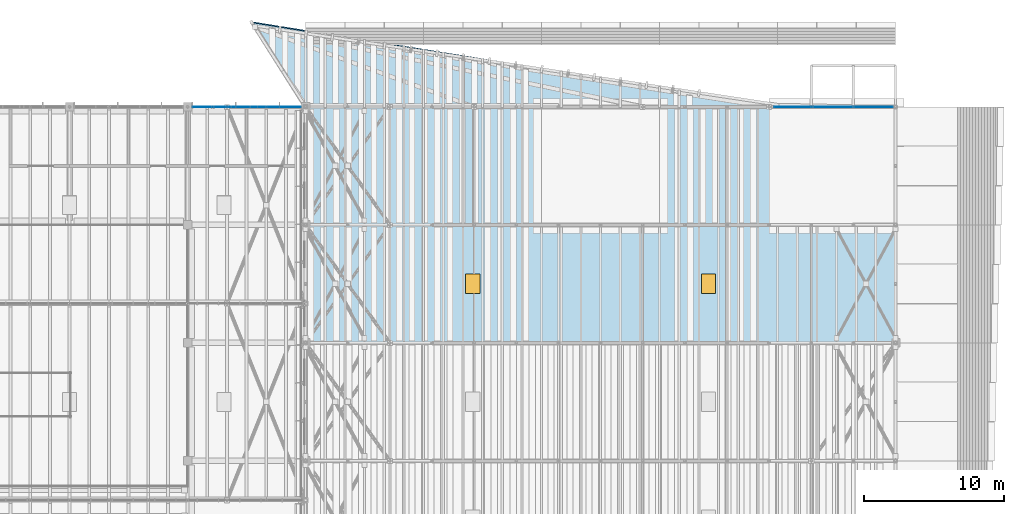
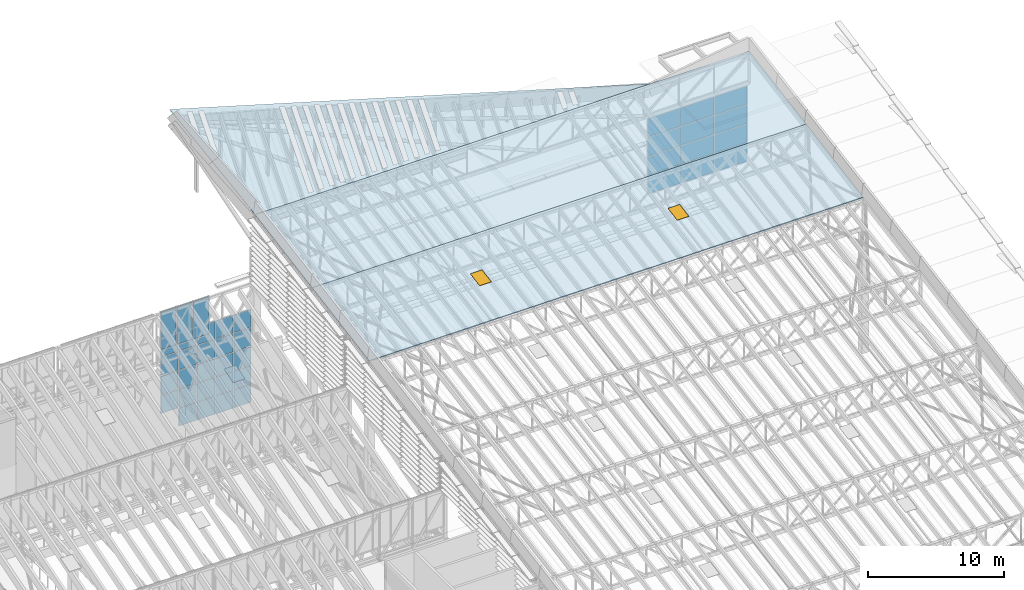
# One storey, part 62 of 91: 39 plates, 3 slabs, 2 windows, 2 openings, 3 elements without a shape of their own.
"""IFC4 building model written with IfcOpenShell, lengths in metres."""

from ifc_helpers import new_model, si_unit, direction, frame, origin, origin_2d, place, context, subcontext, project, spatial, polyline, rectangle, outline, extrude, material, layer, layer_set, type_object, element, fill, aggregate, save


model = new_model("IFC4")

# Units and contexts
model_context = context("Model", 3, precision=1e-05, world=origin(), true_north=direction((0.0, 1.0)))
body_context = subcontext(model_context, "Body", "Model", "MODEL_VIEW")
ifc_project = project(units=[si_unit("LENGTHUNIT", "METRE"), si_unit("AREAUNIT", "SQUARE_METRE"), si_unit("VOLUMEUNIT", "CUBIC_METRE"), si_unit("PLANEANGLEUNIT", "RADIAN"), si_unit("MASSUNIT", "GRAM", prefix="KILO")], contexts=[model_context])

# Site, building, storey
site_placement = place(None, origin())
site = spatial("IfcSite", under=ifc_project, at=site_placement, CompositionType="ELEMENT")
building_placement = place(site_placement, origin())
building = spatial("IfcBuilding", under=site, at=building_placement, Name="Almond Square Museum", CompositionType="ELEMENT")
storey_placement = place(building_placement, frame((0.0, 0.0, 30.0)))
storey = spatial("IfcBuildingStorey", under=building, at=storey_placement, Name="L05", CompositionType="ELEMENT", Elevation=30.0)

# Curtain wall, plates
ifc_material_1 = material(Name="Aluminium and laminated glass", Category="aluminium")
curtain_wall_type_1 = type_object("IfcCurtainWallType", Name="Unitised curtain wall 1500 module", PredefinedType="NOTDEFINED", material=ifc_material_1)
curtain_wall_1_placement = place(storey_placement, origin())
curtain_wall_1 = element("IfcCurtainWall", 1, at=curtain_wall_1_placement, inside=storey, type_object=curtain_wall_type_1, Name="Curtain wall CW-53", PredefinedType="NOTDEFINED")
ifc_material_2 = material(Name="Laminated hurricane-rated glass", Category="glass")
ifc_layer_1 = layer(ifc_material_2, 0.035888671875)
ifc_layer_set_1 = layer_set([ifc_layer_1], Name="Laminated hurricane-rated glass")
plate_type = type_object("IfcPlateType", Name="Laminated glass panel 36", PredefinedType="CURTAIN_PANEL", material=ifc_layer_set_1)
plate_1_placement = place(storey_placement, frame((99.4951171875, 109.199951171875, 1.72607421875), z_axis=(0.0, 0.0, 1.0), x_axis=(1.0, 0.0, 0.0)))
plate_1 = element("IfcPlate", 2, at=plate_1_placement, type_object=plate_type, Name="CW-53 panel 1.2", PredefinedType="CURTAIN_PANEL", context=body_context, shape_type="SweptSolid", body=[
    extrude(rectangle(XDim=1.469970703125, YDim=0.035888671875, at=origin_2d()), origin(), (0.0, 0.0, 1.0), 1.635986328125),
])
plate_2_placement = place(storey_placement, frame((99.4951171875, 109.199951171875, 3.42236328125), z_axis=(0.0, 0.0, 1.0), x_axis=(1.0, 0.0, 0.0)))
plate_2 = element("IfcPlate", 3, at=plate_2_placement, type_object=plate_type, Name="CW-53 panel 1.3", PredefinedType="CURTAIN_PANEL", context=body_context, shape_type="SweptSolid", body=[
    extrude(rectangle(XDim=1.469970703125, YDim=0.035888671875, at=origin_2d()), origin(), (0.0, 0.0, 1.0), 1.635986328125),
])
plate_3_placement = place(storey_placement, frame((99.4951171875, 109.199951171875, 5.1181640625), z_axis=(0.0, 0.0, 1.0), x_axis=(1.0, 0.0, 0.0)))
plate_3 = element("IfcPlate", 4, at=plate_3_placement, type_object=plate_type, Name="CW-53 panel 1.4", PredefinedType="CURTAIN_PANEL", context=body_context, shape_type="SweptSolid", body=[
    extrude(rectangle(XDim=1.469970703125, YDim=0.035888671875, at=origin_2d()), origin(), (0.0, 0.0, 1.0), 1.635986328125),
])
plate_4_placement = place(storey_placement, frame((99.4951171875, 109.199951171875, 6.814208984375), z_axis=(0.0, 0.0, 1.0), x_axis=(1.0, 0.0, 0.0)))
plate_4 = element("IfcPlate", 5, at=plate_4_placement, type_object=plate_type, Name="CW-53 panel 1.5", PredefinedType="CURTAIN_PANEL", context=body_context, shape_type="SweptSolid", body=[
    extrude(rectangle(XDim=1.469970703125, YDim=0.035888671875, at=origin_2d()), origin(), (0.0, 0.0, 1.0), 1.60595703125),
])
plate_5_placement = place(storey_placement, frame((101.0400390625, 109.199951171875, 0.06005859375), z_axis=(0.0, 0.0, 1.0), x_axis=(1.0, 0.0, 0.0)))
plate_5 = element("IfcPlate", 6, at=plate_5_placement, type_object=plate_type, Name="CW-53 panel 2.1", PredefinedType="CURTAIN_PANEL", context=body_context, shape_type="SweptSolid", body=[
    extrude(rectangle(XDim=1.5, YDim=0.035888671875, at=origin_2d()), origin(), (0.0, 0.0, 1.0), 1.60595703125),
])
plate_6_placement = place(storey_placement, frame((101.0400390625, 109.199951171875, 1.72607421875), z_axis=(0.0, 0.0, 1.0), x_axis=(1.0, 0.0, 0.0)))
plate_6 = element("IfcPlate", 7, at=plate_6_placement, type_object=plate_type, Name="CW-53 panel 2.2", PredefinedType="CURTAIN_PANEL", context=body_context, shape_type="SweptSolid", body=[
    extrude(rectangle(XDim=1.5, YDim=0.035888671875, at=origin_2d()), origin(), (0.0, 0.0, 1.0), 1.635986328125),
])
plate_7_placement = place(storey_placement, frame((101.0400390625, 109.199951171875, 3.42236328125), z_axis=(0.0, 0.0, 1.0), x_axis=(1.0, 0.0, 0.0)))
plate_7 = element("IfcPlate", 8, at=plate_7_placement, type_object=plate_type, Name="CW-53 panel 2.3", PredefinedType="CURTAIN_PANEL", context=body_context, shape_type="SweptSolid", body=[
    extrude(rectangle(XDim=1.5, YDim=0.035888671875, at=origin_2d()), origin(), (0.0, 0.0, 1.0), 1.635986328125),
])
plate_8_placement = place(storey_placement, frame((101.0400390625, 109.199951171875, 5.1181640625), z_axis=(0.0, 0.0, 1.0), x_axis=(1.0, 0.0, 0.0)))
plate_8 = element("IfcPlate", 9, at=plate_8_placement, type_object=plate_type, Name="CW-53 panel 2.4", PredefinedType="CURTAIN_PANEL", context=body_context, shape_type="SweptSolid", body=[
    extrude(rectangle(XDim=1.5, YDim=0.035888671875, at=origin_2d()), origin(), (0.0, 0.0, 1.0), 1.635986328125),
])
plate_9_placement = place(storey_placement, frame((101.0400390625, 109.199951171875, 6.814208984375), z_axis=(0.0, 0.0, 1.0), x_axis=(1.0, 0.0, 0.0)))
plate_9 = element("IfcPlate", 10, at=plate_9_placement, type_object=plate_type, Name="CW-53 panel 2.5", PredefinedType="CURTAIN_PANEL", context=body_context, shape_type="SweptSolid", body=[
    extrude(rectangle(XDim=1.5, YDim=0.035888671875, at=origin_2d()), origin(), (0.0, 0.0, 1.0), 1.60595703125),
])
plate_10_placement = place(storey_placement, frame((102.60009765625, 109.199951171875, 0.06005859375), z_axis=(0.0, 0.0, 1.0), x_axis=(1.0, 0.0, 0.0)))
plate_10 = element("IfcPlate", 11, at=plate_10_placement, type_object=plate_type, Name="CW-53 panel 3.1", PredefinedType="CURTAIN_PANEL", context=body_context, shape_type="SweptSolid", body=[
    extrude(rectangle(XDim=1.5, YDim=0.035888671875, at=origin_2d()), origin(), (0.0, 0.0, 1.0), 1.60595703125),
])
plate_11_placement = place(storey_placement, frame((102.60009765625, 109.199951171875, 1.72607421875), z_axis=(0.0, 0.0, 1.0), x_axis=(1.0, 0.0, 0.0)))
plate_11 = element("IfcPlate", 12, at=plate_11_placement, type_object=plate_type, Name="CW-53 panel 3.2", PredefinedType="CURTAIN_PANEL", context=body_context, shape_type="SweptSolid", body=[
    extrude(rectangle(XDim=1.5, YDim=0.035888671875, at=origin_2d()), origin(), (0.0, 0.0, 1.0), 1.635986328125),
])
plate_12_placement = place(storey_placement, frame((102.60009765625, 109.199951171875, 3.42236328125), z_axis=(0.0, 0.0, 1.0), x_axis=(1.0, 0.0, 0.0)))
plate_12 = element("IfcPlate", 13, at=plate_12_placement, type_object=plate_type, Name="CW-53 panel 3.3", PredefinedType="CURTAIN_PANEL", context=body_context, shape_type="SweptSolid", body=[
    extrude(rectangle(XDim=1.5, YDim=0.035888671875, at=origin_2d()), origin(), (0.0, 0.0, 1.0), 1.635986328125),
])
plate_13_placement = place(storey_placement, frame((102.60009765625, 109.199951171875, 5.1181640625), z_axis=(0.0, 0.0, 1.0), x_axis=(1.0, 0.0, 0.0)))
plate_13 = element("IfcPlate", 14, at=plate_13_placement, type_object=plate_type, Name="CW-53 panel 3.4", PredefinedType="CURTAIN_PANEL", context=body_context, shape_type="SweptSolid", body=[
    extrude(rectangle(XDim=1.5, YDim=0.035888671875, at=origin_2d()), origin(), (0.0, 0.0, 1.0), 1.635986328125),
])
plate_14_placement = place(storey_placement, frame((102.60009765625, 109.199951171875, 6.814208984375), z_axis=(0.0, 0.0, 1.0), x_axis=(1.0, 0.0, 0.0)))
plate_14 = element("IfcPlate", 15, at=plate_14_placement, type_object=plate_type, Name="CW-53 panel 3.5", PredefinedType="CURTAIN_PANEL", context=body_context, shape_type="SweptSolid", body=[
    extrude(rectangle(XDim=1.5, YDim=0.035888671875, at=origin_2d()), origin(), (0.0, 0.0, 1.0), 1.60595703125),
])
plate_15_placement = place(storey_placement, frame((104.159912109375, 109.199951171875, 0.06005859375), z_axis=(0.0, 0.0, 1.0), x_axis=(1.0, 0.0, 0.0)))
plate_15 = element("IfcPlate", 16, at=plate_15_placement, type_object=plate_type, Name="CW-53 panel 4.1", PredefinedType="CURTAIN_PANEL", context=body_context, shape_type="SweptSolid", body=[
    extrude(rectangle(XDim=1.5, YDim=0.035888671875, at=origin_2d()), origin(), (0.0, 0.0, 1.0), 1.60595703125),
])
plate_16_placement = place(storey_placement, frame((104.159912109375, 109.199951171875, 1.72607421875), z_axis=(0.0, 0.0, 1.0), x_axis=(1.0, 0.0, 0.0)))
plate_16 = element("IfcPlate", 17, at=plate_16_placement, type_object=plate_type, Name="CW-53 panel 4.2", PredefinedType="CURTAIN_PANEL", context=body_context, shape_type="SweptSolid", body=[
    extrude(rectangle(XDim=1.5, YDim=0.035888671875, at=origin_2d()), origin(), (0.0, 0.0, 1.0), 1.635986328125),
])
plate_17_placement = place(storey_placement, frame((104.159912109375, 109.199951171875, 3.42236328125), z_axis=(0.0, 0.0, 1.0), x_axis=(1.0, 0.0, 0.0)))
plate_17 = element("IfcPlate", 18, at=plate_17_placement, type_object=plate_type, Name="CW-53 panel 4.3", PredefinedType="CURTAIN_PANEL", context=body_context, shape_type="SweptSolid", body=[
    extrude(rectangle(XDim=1.5, YDim=0.035888671875, at=origin_2d()), origin(), (0.0, 0.0, 1.0), 1.635986328125),
])
plate_18_placement = place(storey_placement, frame((104.159912109375, 109.199951171875, 5.1181640625), z_axis=(0.0, 0.0, 1.0), x_axis=(1.0, 0.0, 0.0)))
plate_18 = element("IfcPlate", 19, at=plate_18_placement, type_object=plate_type, Name="CW-53 panel 4.4", PredefinedType="CURTAIN_PANEL", context=body_context, shape_type="SweptSolid", body=[
    extrude(rectangle(XDim=1.5, YDim=0.035888671875, at=origin_2d()), origin(), (0.0, 0.0, 1.0), 1.635986328125),
])
plate_19_placement = place(storey_placement, frame((104.159912109375, 109.199951171875, 6.814208984375), z_axis=(0.0, 0.0, 1.0), x_axis=(1.0, 0.0, 0.0)))
plate_19 = element("IfcPlate", 20, at=plate_19_placement, type_object=plate_type, Name="CW-53 panel 4.5", PredefinedType="CURTAIN_PANEL", context=body_context, shape_type="SweptSolid", body=[
    extrude(rectangle(XDim=1.5, YDim=0.035888671875, at=origin_2d()), origin(), (0.0, 0.0, 1.0), 1.60595703125),
])
plate_20_placement = place(storey_placement, frame((105.705078125, 109.199951171875, 0.06005859375), z_axis=(0.0, 0.0, 1.0), x_axis=(1.0, 0.0, 0.0)))
plate_20 = element("IfcPlate", 21, at=plate_20_placement, type_object=plate_type, Name="CW-53 panel 5.1", PredefinedType="CURTAIN_PANEL", context=body_context, shape_type="SweptSolid", body=[
    extrude(rectangle(XDim=1.469970703125, YDim=0.035888671875, at=origin_2d()), origin(), (0.0, 0.0, 1.0), 1.60595703125),
])
plate_21_placement = place(storey_placement, frame((105.705078125, 109.199951171875, 1.72607421875), z_axis=(0.0, 0.0, 1.0), x_axis=(1.0, 0.0, 0.0)))
plate_21 = element("IfcPlate", 22, at=plate_21_placement, type_object=plate_type, Name="CW-53 panel 5.2", PredefinedType="CURTAIN_PANEL", context=body_context, shape_type="SweptSolid", body=[
    extrude(rectangle(XDim=1.469970703125, YDim=0.035888671875, at=origin_2d()), origin(), (0.0, 0.0, 1.0), 1.635986328125),
])
plate_22_placement = place(storey_placement, frame((105.705078125, 109.199951171875, 3.42236328125), z_axis=(0.0, 0.0, 1.0), x_axis=(1.0, 0.0, 0.0)))
plate_22 = element("IfcPlate", 23, at=plate_22_placement, type_object=plate_type, Name="CW-53 panel 5.3", PredefinedType="CURTAIN_PANEL", context=body_context, shape_type="SweptSolid", body=[
    extrude(rectangle(XDim=1.469970703125, YDim=0.035888671875, at=origin_2d()), origin(), (0.0, 0.0, 1.0), 1.635986328125),
])
plate_23_placement = place(storey_placement, frame((105.705078125, 109.199951171875, 5.1181640625), z_axis=(0.0, 0.0, 1.0), x_axis=(1.0, 0.0, 0.0)))
plate_23 = element("IfcPlate", 24, at=plate_23_placement, type_object=plate_type, Name="CW-53 panel 5.4", PredefinedType="CURTAIN_PANEL", context=body_context, shape_type="SweptSolid", body=[
    extrude(rectangle(XDim=1.469970703125, YDim=0.035888671875, at=origin_2d()), origin(), (0.0, 0.0, 1.0), 1.635986328125),
])
plate_24_placement = place(storey_placement, frame((105.705078125, 109.199951171875, 6.814208984375), z_axis=(0.0, 0.0, 1.0), x_axis=(1.0, 0.0, 0.0)))
plate_24 = element("IfcPlate", 25, at=plate_24_placement, type_object=plate_type, Name="CW-53 panel 5.5", PredefinedType="CURTAIN_PANEL", context=body_context, shape_type="SweptSolid", body=[
    extrude(rectangle(XDim=1.469970703125, YDim=0.035888671875, at=origin_2d()), origin(), (0.0, 0.0, 1.0), 1.60595703125),
])
aggregate(curtain_wall_1, [plate_1, plate_2, plate_3, plate_4, plate_5, plate_6, plate_7, plate_8, plate_9, plate_10, plate_11, plate_12, plate_13, plate_14, plate_15, plate_16, plate_17, plate_18, plate_19, plate_20, plate_21, plate_22, plate_23, plate_24])

curtain_wall_2_placement = place(storey_placement, origin())
curtain_wall_2 = element("IfcCurtainWall", 26, at=curtain_wall_2_placement, inside=storey, type_object=curtain_wall_type_1, Name="Rooflight glazing AG3", PredefinedType="NOTDEFINED")
plate_25_placement = place(storey_placement, frame((99.4150390625, 109.199951171875, 7.4599609375), z_axis=(0.0, 0.0, 1.0), x_axis=(1.0, 0.0, 0.0)))
plate_25 = element("IfcPlate", 27, at=plate_25_placement, type_object=plate_type, Name="CW-60 panel 1.1", PredefinedType="CURTAIN_PANEL", context=body_context, shape_type="SweptSolid", body=[
    extrude(rectangle(XDim=1.31005859375, YDim=0.035888671875, at=origin_2d()), origin(), (0.0, 0.0, 1.0), 3.3603515625),
])
plate_26_placement = place(storey_placement, frame((100.800048828125, 109.199951171875, 7.4599609375), z_axis=(0.0, 0.0, 1.0), x_axis=(1.0, 0.0, 0.0)))
plate_26 = element("IfcPlate", 28, at=plate_26_placement, type_object=plate_type, Name="CW-60 panel 2.1", PredefinedType="CURTAIN_PANEL", context=body_context, shape_type="SweptSolid", body=[
    extrude(rectangle(XDim=1.340087890625, YDim=0.035888671875, at=origin_2d()), origin(), (0.0, 0.0, 1.0), 3.3603515625),
])
plate_27_placement = place(storey_placement, frame((102.18505859375, 109.199951171875, 7.4599609375), z_axis=(0.0, 0.0, 1.0), x_axis=(1.0, 0.0, 0.0)))
plate_27 = element("IfcPlate", 29, at=plate_27_placement, type_object=plate_type, Name="CW-60 panel 3.1", PredefinedType="CURTAIN_PANEL", context=body_context, shape_type="SweptSolid", body=[
    extrude(rectangle(XDim=1.31005859375, YDim=0.035888671875, at=origin_2d()), origin(), (0.0, 0.0, 1.0), 3.3603515625),
])
aggregate(curtain_wall_2, [plate_25, plate_26, plate_27])

ifc_material_3 = material(Name="Aluminium and laminated glass", Category="aluminium")
curtain_wall_type_2 = type_object("IfcCurtainWallType", Name="Clerestory curtain wall 2800 module", PredefinedType="NOTDEFINED", material=ifc_material_3)
curtain_wall_3_placement = place(storey_placement, origin())
curtain_wall_3 = element("IfcCurtainWall", 30, at=curtain_wall_3_placement, inside=storey, type_object=curtain_wall_type_2, Name="Hall north clerestory glazing 1", PredefinedType="NOTDEFINED")
plate_28_placement = place(storey_placement, frame((141.5400390625, 109.199951171875, 6.9599609375), z_axis=(0.0, 0.0, 1.0), x_axis=(1.0, 0.0, 0.0)))
plate_28 = element("IfcPlate", 31, at=plate_28_placement, type_object=plate_type, Name="CW-61 panel 1.1", PredefinedType="CURTAIN_PANEL", context=body_context, shape_type="SweptSolid", body=[
    extrude(rectangle(XDim=2.760009765625, YDim=0.035888671875, at=origin_2d()), origin(), (0.0, 0.0, 1.0), 1.632568359375),
])
plate_29_placement = place(storey_placement, frame((141.5400390625, 109.199951171875, 8.65234375), z_axis=(0.0, 0.0, 1.0), x_axis=(1.0, 0.0, 0.0)))
plate_29 = element("IfcPlate", 32, at=plate_29_placement, type_object=plate_type, Name="CW-61 panel 1.2", PredefinedType="CURTAIN_PANEL", context=body_context, shape_type="SweptSolid", body=[
    extrude(rectangle(XDim=2.760009765625, YDim=0.035888671875, at=origin_2d()), origin(), (0.0, 0.0, 1.0), 1.66259765625),
])
plate_30_placement = place(storey_placement, frame((141.5400390625, 109.199951171875, 10.375), z_axis=(0.0, 0.0, 1.0), x_axis=(1.0, 0.0, 0.0)))
plate_30 = element("IfcPlate", 33, at=plate_30_placement, type_object=plate_type, Name="CW-61 panel 1.3", PredefinedType="CURTAIN_PANEL", context=body_context, shape_type="SweptSolid", body=[
    extrude(rectangle(XDim=2.760009765625, YDim=0.035888671875, at=origin_2d()), origin(), (0.0, 0.0, 1.0), 1.66259765625),
])
plate_31_placement = place(storey_placement, frame((141.5400390625, 109.199951171875, 12.09765625), z_axis=(0.0, 0.0, 1.0), x_axis=(1.0, 0.0, 0.0)))
plate_31 = element("IfcPlate", 34, at=plate_31_placement, type_object=plate_type, Name="CW-61 panel 1.4", PredefinedType="CURTAIN_PANEL", context=body_context, shape_type="SweptSolid", body=[
    extrude(rectangle(XDim=2.760009765625, YDim=0.035888671875, at=origin_2d()), origin(), (0.0, 0.0, 1.0), 1.632568359375),
])
plate_32_placement = place(storey_placement, frame((144.375, 109.199951171875, 6.9599609375), z_axis=(0.0, 0.0, 1.0), x_axis=(1.0, 0.0, 0.0)))
plate_32 = element("IfcPlate", 35, at=plate_32_placement, type_object=plate_type, Name="CW-61 panel 2.1", PredefinedType="CURTAIN_PANEL", context=body_context, shape_type="SweptSolid", body=[
    extrude(rectangle(XDim=2.7900390625, YDim=0.035888671875, at=origin_2d()), origin(), (0.0, 0.0, 1.0), 1.632568359375),
])
plate_33_placement = place(storey_placement, frame((144.375, 109.199951171875, 8.65234375), z_axis=(0.0, 0.0, 1.0), x_axis=(1.0, 0.0, 0.0)))
plate_33 = element("IfcPlate", 36, at=plate_33_placement, type_object=plate_type, Name="CW-61 panel 2.2", PredefinedType="CURTAIN_PANEL", context=body_context, shape_type="SweptSolid", body=[
    extrude(rectangle(XDim=2.7900390625, YDim=0.035888671875, at=origin_2d()), origin(), (0.0, 0.0, 1.0), 1.66259765625),
])
plate_34_placement = place(storey_placement, frame((144.375, 109.199951171875, 10.375), z_axis=(0.0, 0.0, 1.0), x_axis=(1.0, 0.0, 0.0)))
plate_34 = element("IfcPlate", 37, at=plate_34_placement, type_object=plate_type, Name="CW-61 panel 2.3", PredefinedType="CURTAIN_PANEL", context=body_context, shape_type="SweptSolid", body=[
    extrude(rectangle(XDim=2.7900390625, YDim=0.035888671875, at=origin_2d()), origin(), (0.0, 0.0, 1.0), 1.66259765625),
])
plate_35_placement = place(storey_placement, frame((144.375, 109.199951171875, 12.09765625), z_axis=(0.0, 0.0, 1.0), x_axis=(1.0, 0.0, 0.0)))
plate_35 = element("IfcPlate", 38, at=plate_35_placement, type_object=plate_type, Name="CW-61 panel 2.4", PredefinedType="CURTAIN_PANEL", context=body_context, shape_type="SweptSolid", body=[
    extrude(rectangle(XDim=2.7900390625, YDim=0.035888671875, at=origin_2d()), origin(), (0.0, 0.0, 1.0), 1.632568359375),
])
plate_36_placement = place(storey_placement, frame((147.2099609375, 109.199951171875, 6.9599609375), z_axis=(0.0, 0.0, 1.0), x_axis=(1.0, 0.0, 0.0)))
plate_36 = element("IfcPlate", 39, at=plate_36_placement, type_object=plate_type, Name="CW-61 panel 3.1", PredefinedType="CURTAIN_PANEL", context=body_context, shape_type="SweptSolid", body=[
    extrude(rectangle(XDim=2.760009765625, YDim=0.035888671875, at=origin_2d()), origin(), (0.0, 0.0, 1.0), 1.632568359375),
])
plate_37_placement = place(storey_placement, frame((147.2099609375, 109.199951171875, 8.65234375), z_axis=(0.0, 0.0, 1.0), x_axis=(1.0, 0.0, 0.0)))
plate_37 = element("IfcPlate", 40, at=plate_37_placement, type_object=plate_type, Name="CW-61 panel 3.2", PredefinedType="CURTAIN_PANEL", context=body_context, shape_type="SweptSolid", body=[
    extrude(rectangle(XDim=2.760009765625, YDim=0.035888671875, at=origin_2d()), origin(), (0.0, 0.0, 1.0), 1.66259765625),
])
plate_38_placement = place(storey_placement, frame((147.2099609375, 109.199951171875, 10.375), z_axis=(0.0, 0.0, 1.0), x_axis=(1.0, 0.0, 0.0)))
plate_38 = element("IfcPlate", 41, at=plate_38_placement, type_object=plate_type, Name="CW-61 panel 3.3", PredefinedType="CURTAIN_PANEL", context=body_context, shape_type="SweptSolid", body=[
    extrude(rectangle(XDim=2.760009765625, YDim=0.035888671875, at=origin_2d()), origin(), (0.0, 0.0, 1.0), 1.66259765625),
])
plate_39_placement = place(storey_placement, frame((147.2099609375, 109.199951171875, 12.09765625), z_axis=(0.0, 0.0, 1.0), x_axis=(1.0, 0.0, 0.0)))
plate_39 = element("IfcPlate", 42, at=plate_39_placement, type_object=plate_type, Name="CW-61 panel 3.4", PredefinedType="CURTAIN_PANEL", context=body_context, shape_type="SweptSolid", body=[
    extrude(rectangle(XDim=2.760009765625, YDim=0.035888671875, at=origin_2d()), origin(), (0.0, 0.0, 1.0), 1.632568359375),
])
aggregate(curtain_wall_3, [plate_28, plate_29, plate_30, plate_31, plate_32, plate_33, plate_34, plate_35, plate_36, plate_37, plate_38, plate_39])

# Slab, openings, windows
ifc_material_4 = material(Name="Timber deck and zinc standing seam", Category="wood")
ifc_layer_2 = layer(ifc_material_4, 0.10009765625)
ifc_layer_set_2 = layer_set([ifc_layer_2], Name="Timber deck and zinc standing seam")
slab_type = type_object("IfcSlabType", Name="Timber deck and zinc standing seam roof 100", PredefinedType="ROOF", material=ifc_layer_set_2)
slab_1_placement = place(storey_placement, frame((106.800048828125, 92.39990234375, 13.85009765625), z_axis=(0.0, -0.172374081674, 0.985031560899), x_axis=(1.0, 0.0, 0.0)))
slab_1 = element("IfcSlab", 43, at=slab_1_placement, inside=storey, type_object=slab_type, Name="Roof covering HR6", PredefinedType="ROOF", context=body_context, shape_type="SweptSolid", body=[
    extrude(outline(polyline([(0.0, 0.0), (42.0, 0.0), (42.0, 8.52779425332269), (0.0, 8.52779425332269), (0.0, 0.0)])), origin(), (0.0, 0.0, -1.0), 0.10009765625),
])
opening_1_placement = place(slab_1_placement, frame((11.89990234375, 4.263916015625, 0.010009765625), z_axis=(0.0, 0.0, -1.0), x_axis=(1.0, 0.0, 0.0)))
opening_1 = element("IfcOpeningElement", 44, at=opening_1_placement, cuts=slab_1, Name="Opening RL09", PredefinedType="OPENING", context=body_context, shape_type="SweptSolid", body=[
    extrude(rectangle(XDim=1.0, YDim=1.39990234375, at=origin_2d()), origin(), (0.0, 0.0, 1.0), 0.1201171875),
])
opening_2_placement = place(slab_1_placement, frame((28.699951171875, 4.263916015625, 0.010009765625), z_axis=(0.0, 0.0, -1.0), x_axis=(1.0, 0.0, 0.0)))
opening_2 = element("IfcOpeningElement", 45, at=opening_2_placement, cuts=slab_1, Name="Opening RL10", PredefinedType="OPENING", context=body_context, shape_type="SweptSolid", body=[
    extrude(rectangle(XDim=1.0, YDim=1.39990234375, at=origin_2d()), origin(), (0.0, 0.0, 1.0), 0.1201171875),
])
ifc_material_5 = material(Name="Aluminium frame and laminated glass", Category="aluminium")
window_type = type_object("IfcWindowType", Name="Rooflight 1000 x 1400", PartitioningType="SINGLE_PANEL", PredefinedType="SKYLIGHT", material=ifc_material_5)
window_1_placement = place(opening_1_placement, frame((0.0, 0.0, 0.010009765625)))
window_1 = element("IfcWindow", 46, at=window_1_placement, inside=storey, type_object=window_type, Name="Rooflight", OverallHeight=1.39990234375, OverallWidth=1.0, PartitioningType="SINGLE_PANEL", PredefinedType="SKYLIGHT", context=body_context, shape_type="SweptSolid", body=[
    extrude(rectangle(XDim=1.0, YDim=1.39990234375, at=origin_2d()), origin(), (0.0, 0.0, 1.0), 0.050048828125),
])
fill(opening_1, window_1)
window_2_placement = place(opening_2_placement, frame((0.0, 0.0, 0.010009765625)))
window_2 = element("IfcWindow", 47, at=window_2_placement, inside=storey, type_object=window_type, Name="Rooflight", OverallHeight=1.39990234375, OverallWidth=1.0, PartitioningType="SINGLE_PANEL", PredefinedType="SKYLIGHT", context=body_context, shape_type="SweptSolid", body=[
    extrude(rectangle(XDim=1.0, YDim=1.39990234375, at=origin_2d()), origin(), (0.0, 0.0, 1.0), 0.050048828125),
])
fill(opening_2, window_2)

# Slabs
slab_2_placement = place(storey_placement, frame((106.800048828125, 100.800048828125, 15.320068359375), z_axis=(0.0, -0.172378942807, 0.98503071022), x_axis=(1.0, 0.0, 0.0)))
element("IfcSlab", 48, at=slab_2_placement, inside=storey, type_object=slab_type, Name="Roof covering HR7", PredefinedType="ROOF", context=body_context, shape_type="SweptSolid", body=[
    extrude(outline(polyline([(0.0, 0.0), (42.0, 0.0), (42.0, 8.527553767205609), (0.0, 8.527553767205609), (0.0, 0.0)])), origin(), (0.0, 0.0, -1.0), 0.10009765625),
])
slab_3_placement = place(storey_placement, frame((106.800048828125, 109.199951171875, 16.7900390625), z_axis=(0.0, -0.766038647507, 0.642794516564), x_axis=(1.0, 0.0, 0.0)))
element("IfcSlab", 49, at=slab_3_placement, inside=storey, type_object=slab_type, Name="Roof covering HPROW", PredefinedType="ROOF", context=body_context, shape_type="SweptSolid", body=[
    extrude(outline(polyline([(0.0, 0.0), (33.599853515625, 0.0), (-3.800048828125, 9.334242662909931), (0.0, 0.0)])), origin(), (0.0, 0.0, -1.0), 0.10009765625),
])

save(model, "model.ifc")
